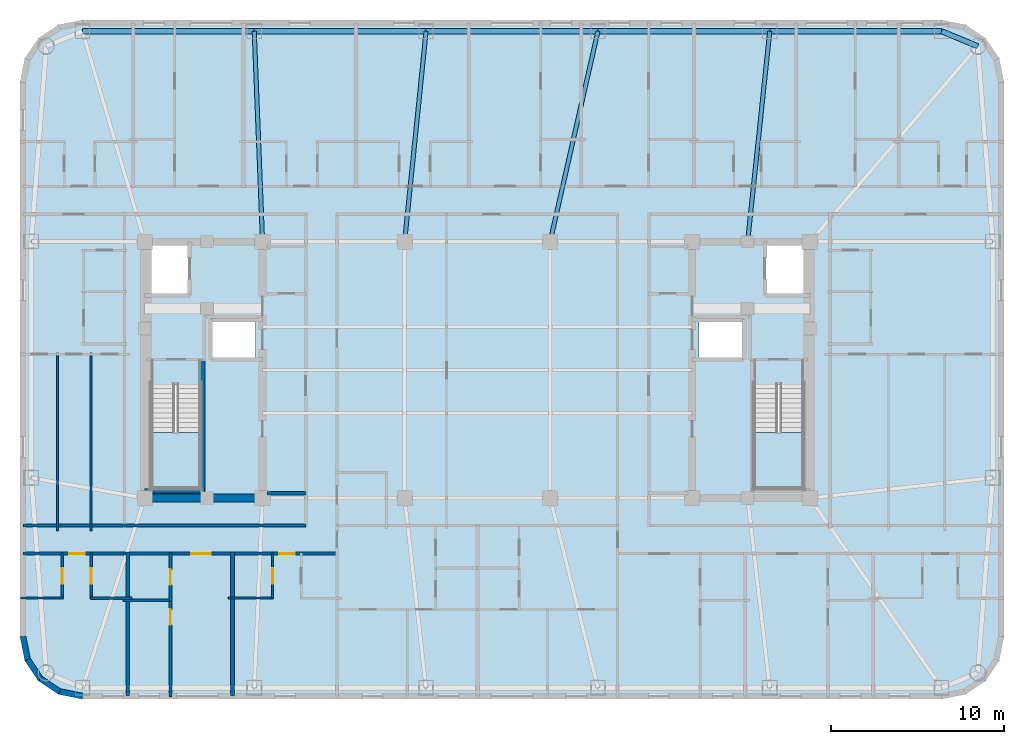
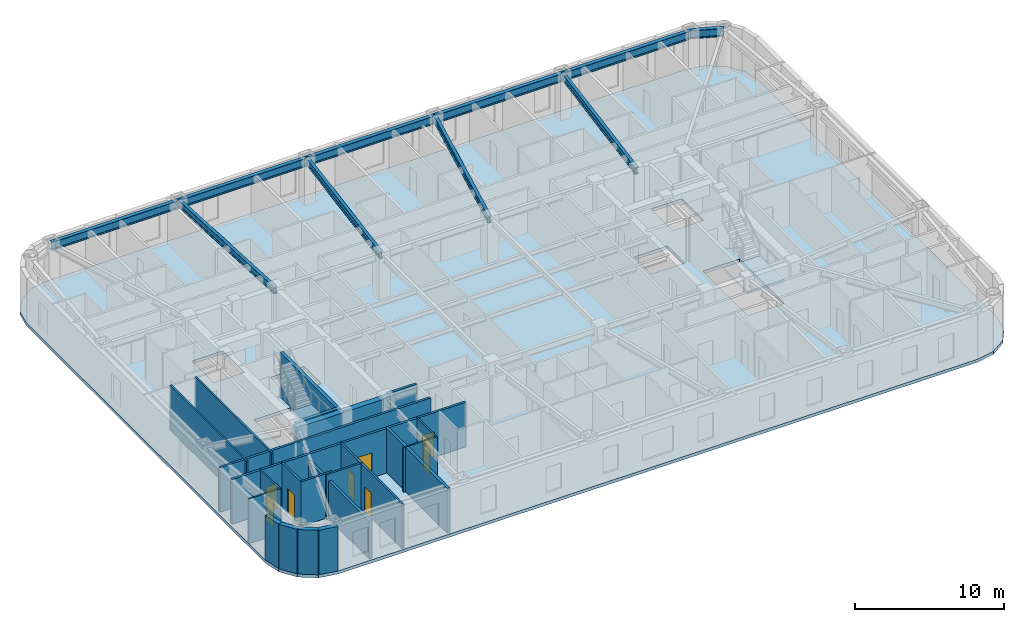
# One storey, part 2 of 11: 23 walls, 10 beams, 8 doors, 3 slabs, 8 openings, 2 elements without a shape of their own.
"""IFC4 building model written with IfcOpenShell, lengths in metres."""

from ifc_helpers import new_model, si_unit, direction, frame, frame_2d, origin, origin_2d, place, context, subcontext, project, spatial, polyline, rectangle, i_section, outline, extrude, material, layer, layer_set, material_profile, profile_set, type_object, element, fill, aggregate, save


model = new_model("IFC4")

# Units and contexts
model_context = context("Model", 3, precision=1e-05, world=origin(), true_north=direction((0.0, 1.0)))
body_context = subcontext(model_context, "Body", "Model", "MODEL_VIEW")
ifc_project = project(units=[si_unit("LENGTHUNIT", "METRE"), si_unit("AREAUNIT", "SQUARE_METRE"), si_unit("VOLUMEUNIT", "CUBIC_METRE"), si_unit("PLANEANGLEUNIT", "RADIAN"), si_unit("MASSUNIT", "GRAM", prefix="KILO")], contexts=[model_context])

# Site, building, storey
site_placement = place(None, origin())
site = spatial("IfcSite", under=ifc_project, at=site_placement, CompositionType="ELEMENT")
building_placement = place(site_placement, origin())
building = spatial("IfcBuilding", under=site, at=building_placement, Name="Voryun Gate Residences", CompositionType="ELEMENT")
storey_placement = place(building_placement, frame((0.0, 0.0, 247.0)))
storey = spatial("IfcBuildingStorey", under=building, at=storey_placement, Name="L61", CompositionType="ELEMENT", Elevation=247.0)

# Beams
ifc_material_1 = material(Name="Steel SM355", Category="steel")
ifc_material_profile_1 = material_profile(ifc_material_1, i_section(OverallWidth=0.300048828125, OverallDepth=0.679931640625, WebThickness=0.013916015625, FlangeThickness=0.02490234375, FilletRadius=0.01806640625, at=origin_2d()), Name="H-680x300x14x25")
ifc_profile_set_1 = profile_set([ifc_material_profile_1], Name="Steel SM355")
beam_type_1 = type_object("IfcBeamType", Name="BM_EXO_SPANDREL_M", PredefinedType="SPANDREL", material=ifc_profile_set_1)
beam_1_placement = place(storey_placement, frame((28.885986328125, 18.68603515625, 3.31005859375), z_axis=(-0.923881087602, 0.382679678022, 0.0), x_axis=(-0.382679678022, -0.923881087602, 0.0)))
element("IfcBeam", 1, at=beam_1_placement, inside=storey, type_object=beam_type_1, Name="BM-L61-SPAND-10", PredefinedType="SPANDREL", context=body_context, shape_type="SweptSolid", body=[
    extrude(i_section(OverallWidth=0.300048828125, OverallDepth=0.679931640625, WebThickness=0.013916015625, FlangeThickness=0.02490234375, FilletRadius=0.01806640625, at=origin_2d()), origin(), (0.0, 0.0, 1.0), 2.2578125),
])
beam_2_placement = place(storey_placement, frame((26.800048828125, 19.550048828125, 3.31005859375), z_axis=(-1.0, 0.0, 0.0), x_axis=(0.0, -1.0, 0.0)))
element("IfcBeam", 2, at=beam_2_placement, inside=storey, type_object=beam_type_1, Name="BM-L61-SPAND-11", PredefinedType="SPANDREL", context=body_context, shape_type="SweptSolid", body=[
    extrude(i_section(OverallWidth=0.300048828125, OverallDepth=0.679931640625, WebThickness=0.013916015625, FlangeThickness=0.02490234375, FilletRadius=0.01806640625, at=origin_2d()), origin(), (0.0, 0.0, 1.0), 9.920166015625),
])
for number, where, z_axis, x_axis, name in (
    (3, (16.8798828125, 19.550048828125, 3.31005859375), (-1.0, 0.0, 0.0), (0.0, -1.0, 0.0), "BM-L61-SPAND-12"),
    (4, (6.9599609375, 19.550048828125, 3.31005859375), (-1.0, 0.0, 0.0), (0.0, -1.0, 0.0), "BM-L61-SPAND-13"),
    (5, (-2.9599609375, 19.550048828125, 3.31005859375), (-1.0, 0.0, 0.0), (0.0, -1.0, 0.0), "BM-L61-SPAND-14"),
):
    element("IfcBeam", number, at=place(storey_placement, frame(where, z_axis=z_axis, x_axis=x_axis)), inside=storey, type_object=beam_type_1, Name=name, PredefinedType="SPANDREL", context=body_context, shape_type="SweptSolid", body=[
        extrude(i_section(OverallWidth=0.300048828125, OverallDepth=0.679931640625, WebThickness=0.013916015625, FlangeThickness=0.02490234375, FilletRadius=0.01806640625, at=origin_2d()), origin(), (0.0, 0.0, 1.0), 9.919921875),
    ])
beam_3_placement = place(storey_placement, frame((-12.8798828125, 19.550048828125, 3.31005859375), z_axis=(-1.0, 0.0, 0.0), x_axis=(0.0, -1.0, 0.0)))
element("IfcBeam", 6, at=beam_3_placement, inside=storey, type_object=beam_type_1, Name="BM-L61-SPAND-15", PredefinedType="SPANDREL", context=body_context, shape_type="SweptSolid", body=[
    extrude(i_section(OverallWidth=0.300048828125, OverallDepth=0.679931640625, WebThickness=0.013916015625, FlangeThickness=0.02490234375, FilletRadius=0.01806640625, at=origin_2d()), origin(), (0.0, 0.0, 1.0), 9.920166015625),
])
ifc_material_2 = material(Name="Steel SM355", Category="steel")
ifc_material_profile_2 = material_profile(ifc_material_2, i_section(OverallWidth=0.239990234375, OverallDepth=0.550048828125, WebThickness=0.011962890625, FlangeThickness=0.02001953125, FilletRadius=0.01806640625, at=origin_2d()), Name="H-550x240x12x20")
ifc_profile_set_2 = profile_set([ifc_material_profile_2], Name="Steel SM355")
beam_type_2 = type_object("IfcBeamType", Name="BM_GIRD_550", PredefinedType="USERDEFINED", material=ifc_profile_set_2)
beam_4_placement = place(storey_placement, frame((15.60009765625, 7.39990234375, 3.375), z_axis=(0.104751358085, 0.994498442925, 0.0), x_axis=(-0.994498442925, 0.104751358085, 0.0)))
element("IfcBeam", 7, at=beam_4_placement, inside=storey, type_object=beam_type_2, Name="BM-L61-RAD-N2", ObjectType="GIRDER", PredefinedType="USERDEFINED", context=body_context, shape_type="SweptSolid", body=[
    extrude(i_section(OverallWidth=0.239990234375, OverallDepth=0.550048828125, WebThickness=0.011962890625, FlangeThickness=0.02001953125, FilletRadius=0.01806640625, at=origin_2d()), origin(), (0.0, 0.0, 1.0), 12.21728515625),
])
beam_5_placement = place(storey_placement, frame((4.199951171875, 7.39990234375, 3.375), z_axis=(0.221515238368, 0.975156910026, 0.0), x_axis=(-0.975156910026, 0.221515238368, 0.0)))
element("IfcBeam", 8, at=beam_5_placement, inside=storey, type_object=beam_type_2, Name="BM-L61-RAD-N3", ObjectType="GIRDER", PredefinedType="USERDEFINED", context=body_context, shape_type="SweptSolid", body=[
    extrude(i_section(OverallWidth=0.239990234375, OverallDepth=0.550048828125, WebThickness=0.011962890625, FlangeThickness=0.02001953125, FilletRadius=0.01806640625, at=origin_2d()), origin(), (0.0, 0.0, 1.0), 12.459716796875),
])
beam_6_placement = place(storey_placement, frame((-4.199951171875, 7.39990234375, 3.375), z_axis=(0.101528223047, 0.994832659257, 0.0), x_axis=(-0.994832659257, 0.101528223047, 0.0)))
element("IfcBeam", 9, at=beam_6_placement, inside=storey, type_object=beam_type_2, Name="BM-L61-RAD-N4", ObjectType="GIRDER", PredefinedType="USERDEFINED", context=body_context, shape_type="SweptSolid", body=[
    extrude(i_section(OverallWidth=0.239990234375, OverallDepth=0.550048828125, WebThickness=0.011962890625, FlangeThickness=0.02001953125, FilletRadius=0.01806640625, at=origin_2d()), origin(), (0.0, 0.0, 1.0), 12.213134765625),
])
beam_7_placement = place(storey_placement, frame((-12.39990234375, 7.39990234375, 3.375), z_axis=(-0.039473300578, 0.999220625558, 0.0), x_axis=(-0.999220625558, -0.039473300578, 0.0)))
element("IfcBeam", 10, at=beam_7_placement, inside=storey, type_object=beam_type_2, Name="BM-L61-RAD-N5", ObjectType="GIRDER", PredefinedType="USERDEFINED", context=body_context, shape_type="SweptSolid", body=[
    extrude(i_section(OverallWidth=0.239990234375, OverallDepth=0.550048828125, WebThickness=0.011962890625, FlangeThickness=0.02001953125, FilletRadius=0.01806640625, at=origin_2d()), origin(), (0.0, 0.0, 1.0), 12.15966796875),
])

# Slab
ifc_material_3 = material(Name="Concrete C40/50", Category="concrete")
ifc_layer_1 = layer(ifc_material_3, 0.25, Name="SLB_RES_250")
ifc_layer_set_1 = layer_set([ifc_layer_1], Name="Concrete C40/50")
slab_type_1 = type_object("IfcSlabType", Name="SLB_RES_250", PredefinedType="FLOOR", material=ifc_layer_set_1)
slab_1_placement = place(storey_placement, frame((0.0, 0.0, -0.25)))
element("IfcSlab", 11, at=slab_1_placement, inside=storey, type_object=slab_type_1, Name="L61 Structural Floor Slab", PredefinedType="FLOOR", context=body_context, shape_type="SweptSolid", body=[
    extrude(outline(polyline([(-22.800048828125, -19.0), (-24.177734375, -18.72607421875), (-25.345458984375, -17.945556640625), (-26.1259765625, -16.777587890625), (-26.39990234375, -15.39990234375), (-26.39990234375, 16.60009765625), (-26.1259765625, 17.9775390625), (-25.345458984375, 19.1455078125), (-24.177734375, 19.926025390625), (-22.800048828125, 20.199951171875), (26.800048828125, 20.199951171875), (28.177734375, 19.926025390625), (29.345458984375, 19.1455078125), (30.1259765625, 17.9775390625), (30.39990234375, 16.60009765625), (30.39990234375, -15.39990234375), (30.1259765625, -16.777587890625), (29.345458984375, -17.945556640625), (28.177734375, -18.72607421875), (26.800048828125, -19.0), (-22.800048828125, -19.0)]), holes=[polyline([(-15.97509765625, -0.840087890625), (-18.824951171875, -0.840087890625), (-18.824951171875, -6.85009765625), (-15.97509765625, -6.85009765625), (-15.97509765625, -0.840087890625)]), polyline([(18.824951171875, -6.85009765625), (18.824951171875, -0.840087890625), (15.97509765625, -0.840087890625), (15.97509765625, -6.85009765625), (18.824951171875, -6.85009765625)]), polyline([(-12.800048828125, 2.89990234375), (-15.39990234375, 2.89990234375), (-15.39990234375, 0.60009765625), (-12.800048828125, 0.60009765625), (-12.800048828125, 2.89990234375)]), polyline([(12.800048828125, 2.89990234375), (12.800048828125, 0.60009765625), (15.39990234375, 0.60009765625), (15.39990234375, 2.89990234375), (12.800048828125, 2.89990234375)]), polyline([(-16.60009765625, 7.199951171875), (-19.0, 7.199951171875), (-19.0, 4.300048828125), (-16.60009765625, 4.300048828125), (-16.60009765625, 7.199951171875)]), polyline([(19.0, 7.199951171875), (16.60009765625, 7.199951171875), (16.60009765625, 4.300048828125), (19.0, 4.300048828125), (19.0, 7.199951171875)])]), origin(), (0.0, 0.0, 1.0), 0.25),
])

# Stair, slab
ifc_material_4 = material(Name="Concrete C40/50", Category="concrete")
stair_type = type_object("IfcStairType", Name="STR_CORE_DOGLEG_1350", PredefinedType="HALF_TURN_STAIR", material=ifc_material_4)
stair_1_placement = place(storey_placement, origin())
stair_1 = element("IfcStair", 12, at=stair_1_placement, inside=storey, type_object=stair_type, Name="L61 Special Escape Stair ST-W1", PredefinedType="HALF_TURN_STAIR")
ifc_material_5 = material(Name="Concrete C40/50", Category="concrete")
ifc_layer_2 = layer(ifc_material_5, 0.199951171875, Name="SLB_STAIR_LANDING_200")
ifc_layer_set_2 = layer_set([ifc_layer_2], Name="Concrete C40/50")
slab_type_2 = type_object("IfcSlabType", Name="SLB_STAIR_LANDING_200", PredefinedType="LANDING", material=ifc_layer_set_2)
slab_2_placement = place(storey_placement, frame((0.0, 0.0, 1.75)))
slab_2 = element("IfcSlab", 13, at=slab_2_placement, type_object=slab_type_2, Name="ST-W1 landing 1", PredefinedType="LANDING", context=body_context, shape_type="SweptSolid", body=[
    extrude(outline(polyline([(-18.824951171875, -3.60009765625), (-18.824951171875, -6.85009765625), (-15.97509765625, -6.85009765625), (-15.97509765625, -3.60009765625), (-18.824951171875, -3.60009765625)])), origin(), (0.0, 0.0, 1.0), 0.199951171875),
])
aggregate(stair_1, [slab_2])

stair_2_placement = place(storey_placement, origin())
stair_2 = element("IfcStair", 14, at=stair_2_placement, inside=storey, type_object=stair_type, Name="L61 Special Escape Stair ST-E1", PredefinedType="HALF_TURN_STAIR")
slab_3_placement = place(storey_placement, frame((0.0, 0.0, 1.75)))
slab_3 = element("IfcSlab", 15, at=slab_3_placement, type_object=slab_type_2, Name="ST-E1 landing 1", PredefinedType="LANDING", context=body_context, shape_type="SweptSolid", body=[
    extrude(outline(polyline([(15.97509765625, -3.60009765625), (15.97509765625, -6.85009765625), (18.824951171875, -6.85009765625), (18.824951171875, -3.60009765625), (15.97509765625, -3.60009765625)])), origin(), (0.0, 0.0, 1.0), 0.199951171875),
])
aggregate(stair_2, [slab_3])

# Walls
ifc_material_6 = material(Name="Concrete C50/60", Category="concrete")
ifc_layer_3 = layer(ifc_material_6, 0.449951171875, Name="CW_CORE_450")
ifc_layer_set_3 = layer_set([ifc_layer_3], Name="Concrete C50/60")
wall_type_1 = type_object("IfcWallType", Name="CW_CORE_450", PredefinedType="SHEAR", material=ifc_layer_set_3)
wall_1_placement = place(storey_placement, frame((-19.425048828125, -7.39990234375, 0.0), z_axis=(0.0, 0.0, 1.0), x_axis=(1.0, 0.0, 0.0)))
element("IfcWall", 16, at=wall_1_placement, inside=storey, type_object=wall_type_1, Name="L61 Core shear wall CW-L61-WS", PredefinedType="SHEAR", context=body_context, shape_type="SweptSolid", body=[
    extrude(rectangle(XDim=7.25, YDim=0.449951171875, at=frame_2d((3.625, 0.0))), origin(), (0.0, 0.0, 1.0), 3.64990234375),
])
ifc_material_7 = material(Name="Gypsum acoustic fireboard")
ifc_layer_4 = layer(ifc_material_7, 0.179931640625, Name="W_CORR_RATED_180")
ifc_layer_set_4 = layer_set([ifc_layer_4], Name="Gypsum acoustic fireboard")
wall_type_2 = type_object("IfcWallType", Name="W_CORR_RATED_180", PredefinedType="PARTITIONING", material=ifc_layer_set_4)
wall_2_placement = place(storey_placement, frame((-12.14990234375, -7.1201171875, 0.0), z_axis=(0.0, 0.0, 1.0), x_axis=(1.0, 0.0, 0.0)))
element("IfcWall", 17, at=wall_2_placement, inside=storey, type_object=wall_type_2, Name="Partition wall WP-L61-PLBS-W", PredefinedType="PARTITIONING", context=body_context, shape_type="SweptSolid", body=[
    extrude(rectangle(XDim=2.27001953125, YDim=0.179931640625, at=frame_2d((1.135009765625, 0.0))), origin(), (0.0, 0.0, 1.0), 3.64990234375),
])
wall_3_placement = place(storey_placement, frame((-26.22998046875, -8.989990234375, 0.0), z_axis=(0.0, 0.0, 1.0), x_axis=(1.0, 0.0, 0.0)))
element("IfcWall", 18, at=wall_3_placement, inside=storey, type_object=wall_type_2, Name="Partition wall WP-L61-CWING-WS", PredefinedType="PARTITIONING", context=body_context, shape_type="SweptSolid", body=[
    extrude(rectangle(XDim=16.35009765625, YDim=0.179931640625, at=frame_2d((8.175048828125, 0.0))), origin(), (0.0, 0.0, 1.0), 3.64990234375),
])

# Wall, openings, doors
wall_4_placement = place(storey_placement, frame((-26.22998046875, -10.60009765625, 0.0), z_axis=(0.0, 0.0, 1.0), x_axis=(1.0, 0.0, 0.0)))
wall_4 = element("IfcWall", 19, at=wall_4_placement, inside=storey, type_object=wall_type_2, Name="Partition wall WP-L61-SCORR-W", PredefinedType="PARTITIONING", context=body_context, shape_type="SweptSolid", body=[
    extrude(rectangle(XDim=18.14990234375, YDim=0.179931640625, at=frame_2d((9.074951171875, 0.0))), origin(), (0.0, 0.0, 1.0), 3.64990234375),
])
opening_1_placement = place(wall_4_placement, frame((2.6591796875, 0.0, 0.0)))
opening_1 = element("IfcOpeningElement", 20, at=opening_1_placement, cuts=wall_4, Name="Opening D-INT-2", PredefinedType="OPENING", context=body_context, shape_type="SweptSolid", body=[
    extrude(rectangle(XDim=0.89990234375, YDim=2.050048828125, at=frame_2d((0.449951171875, 1.02490234375))), frame((0.0, 0.099853515625, 0.0), z_axis=(0.0, -1.0, 0.0), x_axis=(1.0, 0.0, 0.0)), (0.0, 0.0, 1.0), 0.199951171875),
])
opening_2_placement = place(wall_4_placement, frame((9.703369140625, 0.0, 0.0)))
opening_2 = element("IfcOpeningElement", 21, at=opening_2_placement, cuts=wall_4, Name="Opening D-UNIT-1", PredefinedType="OPENING", context=body_context, shape_type="SweptSolid", body=[
    extrude(rectangle(XDim=1.14990234375, YDim=2.050048828125, at=frame_2d((0.574951171875, 1.02490234375))), frame((0.0, 0.099853515625, 0.0), z_axis=(0.0, -1.0, 0.0), x_axis=(1.0, 0.0, 0.0)), (0.0, 0.0, 1.0), 0.199951171875),
])
opening_3_placement = place(wall_4_placement, frame((14.79248046875, 0.0, 0.0)))
opening_3 = element("IfcOpeningElement", 22, at=opening_3_placement, cuts=wall_4, Name="Opening D-INT-2", PredefinedType="OPENING", context=body_context, shape_type="SweptSolid", body=[
    extrude(rectangle(XDim=0.89990234375, YDim=2.050048828125, at=frame_2d((0.449951171875, 1.02490234375))), frame((0.0, 0.099853515625, 0.0), z_axis=(0.0, -1.0, 0.0), x_axis=(1.0, 0.0, 0.0)), (0.0, 0.0, 1.0), 0.199951171875),
])
ifc_material_8 = material(Name="Architectural oak veneer")
door_type_1 = type_object("IfcDoorType", Name="DR_INT_BATH_900", OperationType="NOTDEFINED", PredefinedType="DOOR", material=ifc_material_8)
door_1_placement = place(opening_1_placement, origin())
door_1 = element("IfcDoor", 23, at=door_1_placement, inside=storey, type_object=door_type_1, Name="Door DR-L61-SENT-1", OperationType="SINGLE_SWING_RIGHT", OverallHeight=2.050048828125, OverallWidth=0.89990234375, PredefinedType="DOOR", context=body_context, shape_type="SweptSolid", body=[
    extrude(rectangle(XDim=0.89990234375, YDim=2.050048828125, at=frame_2d((0.449951171875, 1.02490234375))), frame((0.0, 0.02490234375, 0.0), z_axis=(0.0, -1.0, 0.0), x_axis=(1.0, 0.0, 0.0)), (0.0, 0.0, 1.0), 0.050048828125),
])
fill(opening_1, door_1)
door_2_placement = place(opening_3_placement, origin())
door_2 = element("IfcDoor", 24, at=door_2_placement, inside=storey, type_object=door_type_1, Name="Door DR-L61-SENT-3", OperationType="SINGLE_SWING_RIGHT", OverallHeight=2.050048828125, OverallWidth=0.89990234375, PredefinedType="DOOR", context=body_context, shape_type="SweptSolid", body=[
    extrude(rectangle(XDim=0.89990234375, YDim=2.050048828125, at=frame_2d((0.449951171875, 1.02490234375))), frame((0.0, 0.02490234375, 0.0), z_axis=(0.0, -1.0, 0.0), x_axis=(1.0, 0.0, 0.0)), (0.0, 0.0, 1.0), 0.050048828125),
])
fill(opening_3, door_2)
ifc_material_9 = material(Name="Armoured timber-clad fire door", Category="wood")
door_type_2 = type_object("IfcDoorType", Name="DR_UNIT_ENTRY_1150", OperationType="NOTDEFINED", PredefinedType="DOOR", material=ifc_material_9)
door_3_placement = place(opening_2_placement, origin())
door_3 = element("IfcDoor", 25, at=door_3_placement, inside=storey, type_object=door_type_2, Name="Door DR-L61-SENT-2", OperationType="SINGLE_SWING_LEFT", OverallHeight=2.050048828125, OverallWidth=1.14990234375, PredefinedType="DOOR", context=body_context, shape_type="SweptSolid", body=[
    extrude(rectangle(XDim=1.14990234375, YDim=2.050048828125, at=frame_2d((0.574951171875, 1.02490234375))), frame((0.0, 0.02490234375, 0.0), z_axis=(0.0, -1.0, 0.0), x_axis=(1.0, 0.0, 0.0)), (0.0, 0.0, 1.0), 0.050048828125),
])
fill(opening_2, door_3)

# Walls
ifc_material_10 = material(Name="Charcoal terracotta masonry", Category="masonry")
ifc_layer_5 = layer(ifc_material_10, 0.340087890625, Name="W_EXT_TERRACOTTA_340")
ifc_layer_set_5 = layer_set([ifc_layer_5], Name="Charcoal terracotta masonry")
wall_type_3 = type_object("IfcWallType", Name="W_EXT_TERRACOTTA_340", PredefinedType="ELEMENTEDWALL", material=ifc_layer_set_5)
wall_5_placement = place(storey_placement, frame((-22.783203125, -18.830078125, 0.0), z_axis=(0.0, 0.0, 1.0), x_axis=(-0.980788153188, 0.195075878998, 0.0)))
element("IfcWall", 26, at=wall_5_placement, inside=storey, type_object=wall_type_3, Name="Exterior wall WEXT-L61-02", PredefinedType="ELEMENTEDWALL", context=body_context, shape_type="SweptSolid", body=[
    extrude(rectangle(XDim=1.354248046875, YDim=0.340087890625, at=frame_2d((0.67724609375, 0.0))), origin(), (0.0, 0.0, 1.0), 3.64990234375),
])
wall_6_placement = place(storey_placement, frame((-24.111328125, -18.56591796875, 0.0), z_axis=(0.0, 0.0, 1.0), x_axis=(-0.831403586725, 0.555669034571, 0.0)))
element("IfcWall", 27, at=wall_6_placement, inside=storey, type_object=wall_type_3, Name="Exterior wall WEXT-L61-03", PredefinedType="ELEMENTEDWALL", context=body_context, shape_type="SweptSolid", body=[
    extrude(rectangle(XDim=1.3369140625, YDim=0.340087890625, at=frame_2d((0.66845703125, 0.0))), origin(), (0.0, 0.0, 1.0), 3.64990234375),
])
wall_7_placement = place(storey_placement, frame((-25.222900390625, -17.822998046875, 0.0), z_axis=(0.0, 0.0, 1.0), x_axis=(-0.555584683399, 0.831459956686, 0.0)))
element("IfcWall", 28, at=wall_7_placement, inside=storey, type_object=wall_type_3, Name="Exterior wall WEXT-L61-04", PredefinedType="ELEMENTEDWALL", context=body_context, shape_type="SweptSolid", body=[
    extrude(rectangle(XDim=1.337158203125, YDim=0.340087890625, at=frame_2d((0.66845703125, 0.0))), origin(), (0.0, 0.0, 1.0), 3.64990234375),
])
wall_8_placement = place(storey_placement, frame((-25.9658203125, -16.711181640625, 0.0), z_axis=(0.0, 0.0, 1.0), x_axis=(-0.195110379894, 0.98078129043, 0.0)))
element("IfcWall", 29, at=wall_8_placement, inside=storey, type_object=wall_type_3, Name="Exterior wall WEXT-L61-05", PredefinedType="ELEMENTEDWALL", context=body_context, shape_type="SweptSolid", body=[
    extrude(rectangle(XDim=1.35400390625, YDim=0.340087890625, at=frame_2d((0.677001953125, 0.0))), origin(), (0.0, 0.0, 1.0), 3.64990234375),
])
ifc_material_11 = material(Name="Concrete C40/50", Category="concrete")
ifc_layer_6 = layer(ifc_material_11, 0.219970703125, Name="W_PARTY_ACOUSTIC_220")
ifc_layer_set_6 = layer_set([ifc_layer_6], Name="Concrete C40/50")
wall_type_4 = type_object("IfcWallType", Name="W_PARTY_ACOUSTIC_220", PredefinedType="PARTITIONING", material=ifc_layer_set_6)
wall_9_placement = place(storey_placement, frame((-20.18505859375, -18.830078125, 0.0), z_axis=(0.0, 0.0, 1.0), x_axis=(0.0, 1.0, 0.0)))
element("IfcWall", 30, at=wall_9_placement, inside=storey, type_object=wall_type_4, Name="Partition wall WP-L61-SPTY-1", PredefinedType="PARTITIONING", context=body_context, shape_type="SweptSolid", body=[
    extrude(rectangle(XDim=8.31005859375, YDim=0.219970703125, at=frame_2d((4.155029296875, 0.0))), origin(), (0.0, 0.0, 1.0), 3.090087890625),
])
wall_10_placement = place(storey_placement, frame((-14.132080078125, -18.830078125, 0.0), z_axis=(0.0, 0.0, 1.0), x_axis=(0.0, 1.0, 0.0)))
element("IfcWall", 31, at=wall_10_placement, inside=storey, type_object=wall_type_4, Name="Partition wall WP-L61-SPTY-2", PredefinedType="PARTITIONING", context=body_context, shape_type="SweptSolid", body=[
    extrude(rectangle(XDim=8.31005859375, YDim=0.219970703125, at=frame_2d((4.155029296875, 0.0))), origin(), (0.0, 0.0, 1.0), 3.64990234375),
])
ifc_material_12 = material(Name="Concrete C50/60", Category="concrete")
ifc_layer_7 = layer(ifc_material_12, 0.25, Name="W_SHAFT_RC250")
ifc_layer_set_7 = layer_set([ifc_layer_7], Name="Concrete C50/60")
wall_type_5 = type_object("IfcWallType", Name="W_SHAFT_RC250", PredefinedType="SOLIDWALL", material=ifc_layer_set_7)
wall_11_placement = place(storey_placement, frame((-15.860107421875, -7.0849609375, 0.0), z_axis=(0.0, 0.0, 1.0), x_axis=(0.0, 1.0, 0.0)))
element("IfcWall", 32, at=wall_11_placement, inside=storey, type_object=wall_type_5, Name="L61 Stair shaft structural wall W-STR", PredefinedType="SOLIDWALL", context=body_context, shape_type="SweptSolid", body=[
    extrude(rectangle(XDim=7.68505859375, YDim=0.25, at=frame_2d((3.842529296875, 0.0))), origin(), (0.0, 0.0, 1.0), 3.64990234375),
])
wall_12_placement = place(storey_placement, frame((-19.199951171875, -6.965087890625, 0.0), z_axis=(0.0, 0.0, 1.0), x_axis=(1.0, 0.0, 0.0)))
element("IfcWall", 33, at=wall_12_placement, inside=storey, type_object=wall_type_5, Name="L61 Stair shaft structural wall W-STS", PredefinedType="SOLIDWALL", context=body_context, shape_type="SweptSolid", body=[
    extrude(rectangle(XDim=3.4599609375, YDim=0.25, at=frame_2d((1.72998046875, 0.0))), origin(), (0.0, 0.0, 1.0), 3.64990234375),
])

# Wall, opening, door
ifc_material_13 = material(Name="Gypsum acoustic partition")
ifc_layer_8 = layer(ifc_material_13, 0.125, Name="W_UNIT_PART_125")
ifc_layer_set_8 = layer_set([ifc_layer_8], Name="Gypsum acoustic partition")
wall_type_6 = type_object("IfcWallType", Name="W_UNIT_PART_125", PredefinedType="PARTITIONING", material=ifc_layer_set_8)
wall_13_placement = place(storey_placement, frame((-23.9599609375, -13.22998046875, 0.0), z_axis=(0.0, 0.0, 1.0), x_axis=(0.0, 1.0, 0.0)))
wall_13 = element("IfcWall", 34, at=wall_13_placement, inside=storey, type_object=wall_type_6, Name="Partition wall WP-L61-S1-CVK", PredefinedType="PARTITIONING", context=body_context, shape_type="SweptSolid", body=[
    extrude(rectangle(XDim=2.64990234375, YDim=0.125, at=frame_2d((1.324951171875, 0.0))), origin(), (0.0, 0.0, 1.0), 3.64990234375),
])
opening_4_placement = place(wall_13_placement, frame((0.875, 0.0, 0.0)))
opening_4 = element("IfcOpeningElement", 35, at=opening_4_placement, cuts=wall_13, Name="Opening D-INT-2", PredefinedType="OPENING", context=body_context, shape_type="SweptSolid", body=[
    extrude(rectangle(XDim=0.89990234375, YDim=2.050048828125, at=frame_2d((0.449951171875, 1.02490234375))), frame((0.0, 0.072509765625, 0.0), z_axis=(0.0, -1.0, 0.0), x_axis=(1.0, 0.0, 0.0)), (0.0, 0.0, 1.0), 0.14501953125),
])
door_4_placement = place(opening_4_placement, origin())
door_4 = element("IfcDoor", 36, at=door_4_placement, inside=storey, type_object=door_type_1, Name="Door DR-L61-S1-DK", OperationType="SINGLE_SWING_LEFT", OverallHeight=2.050048828125, OverallWidth=0.89990234375, PredefinedType="DOOR", context=body_context, shape_type="SweptSolid", body=[
    extrude(rectangle(XDim=0.89990234375, YDim=2.050048828125, at=frame_2d((0.449951171875, 1.02490234375))), frame((0.0, 0.02490234375, 0.0), z_axis=(0.0, -1.0, 0.0), x_axis=(1.0, 0.0, 0.0)), (0.0, 0.0, 1.0), 0.050048828125),
])
fill(opening_4, door_4)

# Wall
wall_14_placement = place(storey_placement, frame((-26.3798828125, -13.169921875, 0.0), z_axis=(0.0, 0.0, 1.0), x_axis=(1.0, 0.0, 0.0)))
element("IfcWall", 37, at=wall_14_placement, inside=storey, type_object=wall_type_6, Name="Partition wall WP-L61-S1-CHK", PredefinedType="PARTITIONING", context=body_context, shape_type="SweptSolid", body=[
    extrude(rectangle(XDim=2.47998046875, YDim=0.125, at=frame_2d((1.239990234375, 0.0))), origin(), (0.0, 0.0, 1.0), 3.64990234375),
])

# Wall, opening, door
wall_15_placement = place(storey_placement, frame((-11.818115234375, -13.22998046875, 0.0), z_axis=(0.0, 0.0, 1.0), x_axis=(0.0, 1.0, 0.0)))
wall_15 = element("IfcWall", 38, at=wall_15_placement, inside=storey, type_object=wall_type_6, Name="Partition wall WP-L61-S3-CVK", PredefinedType="PARTITIONING", context=body_context, shape_type="SweptSolid", body=[
    extrude(rectangle(XDim=2.64990234375, YDim=0.125, at=frame_2d((1.324951171875, 0.0))), origin(), (0.0, 0.0, 1.0), 3.64990234375),
])
opening_5_placement = place(wall_15_placement, frame((0.875, 0.0, 0.0)))
opening_5 = element("IfcOpeningElement", 39, at=opening_5_placement, cuts=wall_15, Name="Opening D-INT-2", PredefinedType="OPENING", context=body_context, shape_type="SweptSolid", body=[
    extrude(rectangle(XDim=0.89990234375, YDim=2.050048828125, at=frame_2d((0.449951171875, 1.02490234375))), frame((0.0, 0.072509765625, 0.0), z_axis=(0.0, -1.0, 0.0), x_axis=(1.0, 0.0, 0.0)), (0.0, 0.0, 1.0), 0.14501953125),
])
door_5_placement = place(opening_5_placement, origin())
door_5 = element("IfcDoor", 40, at=door_5_placement, inside=storey, type_object=door_type_1, Name="Door DR-L61-S3-DK", OperationType="SINGLE_SWING_LEFT", OverallHeight=2.050048828125, OverallWidth=0.89990234375, PredefinedType="DOOR", context=body_context, shape_type="SweptSolid", body=[
    extrude(rectangle(XDim=0.89990234375, YDim=2.050048828125, at=frame_2d((0.449951171875, 1.02490234375))), frame((0.0, 0.02490234375, 0.0), z_axis=(0.0, -1.0, 0.0), x_axis=(1.0, 0.0, 0.0)), (0.0, 0.0, 1.0), 0.050048828125),
])
fill(opening_5, door_5)

# Walls
wall_16_placement = place(storey_placement, frame((-14.39208984375, -13.169921875, 0.0), z_axis=(0.0, 0.0, 1.0), x_axis=(1.0, 0.0, 0.0)))
element("IfcWall", 41, at=wall_16_placement, inside=storey, type_object=wall_type_6, Name="Partition wall WP-L61-S3-CHK", PredefinedType="PARTITIONING", context=body_context, shape_type="SweptSolid", body=[
    extrude(rectangle(XDim=2.634033203125, YDim=0.125, at=frame_2d((1.31689453125, 0.0))), origin(), (0.0, 0.0, 1.0), 3.64990234375),
])
for number, where, z_axis, x_axis, name in (
    (42, (-22.305908203125, -9.31005859375, 0.0), (0.0, 0.0, 1.0), (0.0, 1.0, 0.0), "Partition wall WP-L61-W1-VMB2"),
    (43, (-24.241943359375, -9.31005859375, 0.0), (0.0, 0.0, 1.0), (0.0, 1.0, 0.0), "Partition wall WP-L61-W1-VMB"),
):
    element("IfcWall", number, at=place(storey_placement, frame(where, z_axis=z_axis, x_axis=x_axis)), inside=storey, type_object=wall_type_6, Name=name, PredefinedType="PARTITIONING", context=body_context, shape_type="SweptSolid", body=[
        extrude(rectangle(XDim=10.280029296875, YDim=0.125, at=frame_2d((5.14013671875, 0.0))), origin(), (0.0, 0.0, 1.0), 3.64990234375),
    ])

# Wall, opening, door
ifc_material_14 = material(Name="Gypsum moisture-resistant partition")
ifc_layer_9 = layer(ifc_material_14, 0.14990234375, Name="W_WET_PLUMB_150")
ifc_layer_set_9 = layer_set([ifc_layer_9], Name="Gypsum moisture-resistant partition")
wall_type_7 = type_object("IfcWallType", Name="W_WET_PLUMB_150", PredefinedType="PLUMBINGWALL", material=ifc_layer_set_9)
wall_17_placement = place(storey_placement, frame((-22.281982421875, -13.22998046875, 0.0), z_axis=(0.0, 0.0, 1.0), x_axis=(0.0, 1.0, 0.0)))
wall_17 = element("IfcWall", 44, at=wall_17_placement, inside=storey, type_object=wall_type_7, Name="Partition wall WP-L61-S1-CVB", PredefinedType="PLUMBINGWALL", context=body_context, shape_type="SweptSolid", body=[
    extrude(rectangle(XDim=2.64990234375, YDim=0.14990234375, at=frame_2d((1.324951171875, 0.0))), origin(), (0.0, 0.0, 1.0), 3.64990234375),
])
opening_6_placement = place(wall_17_placement, frame((0.875, 0.0, 0.0)))
opening_6 = element("IfcOpeningElement", 45, at=opening_6_placement, cuts=wall_17, Name="Opening D-INT-2", PredefinedType="OPENING", context=body_context, shape_type="SweptSolid", body=[
    extrude(rectangle(XDim=0.89990234375, YDim=2.050048828125, at=frame_2d((0.449951171875, 1.02490234375))), frame((0.0, 0.0849609375, 0.0), z_axis=(0.0, -1.0, 0.0), x_axis=(1.0, 0.0, 0.0)), (0.0, 0.0, 1.0), 0.169921875),
])
door_6_placement = place(opening_6_placement, origin())
door_6 = element("IfcDoor", 46, at=door_6_placement, inside=storey, type_object=door_type_1, Name="Door DR-L61-S1-DB", OperationType="SINGLE_SWING_RIGHT", OverallHeight=2.050048828125, OverallWidth=0.89990234375, PredefinedType="DOOR", context=body_context, shape_type="SweptSolid", body=[
    extrude(rectangle(XDim=0.89990234375, YDim=2.050048828125, at=frame_2d((0.449951171875, 1.02490234375))), frame((0.0, 0.02490234375, 0.0), z_axis=(0.0, -1.0, 0.0), x_axis=(1.0, 0.0, 0.0)), (0.0, 0.0, 1.0), 0.050048828125),
])
fill(opening_6, door_6)

# Walls
wall_18_placement = place(storey_placement, frame((-22.342041015625, -13.169921875, 0.0), z_axis=(0.0, 0.0, 1.0), x_axis=(1.0, 0.0, 0.0)))
element("IfcWall", 47, at=wall_18_placement, inside=storey, type_object=wall_type_7, Name="Partition wall WP-L61-S1-CHB", PredefinedType="PLUMBINGWALL", context=body_context, shape_type="SweptSolid", body=[
    extrude(rectangle(XDim=2.4169921875, YDim=0.14990234375, at=frame_2d((1.20849609375, 0.0))), origin(), (0.0, 0.0, 1.0), 3.64990234375),
])
wall_19_placement = place(storey_placement, frame((-20.445068359375, -13.300048828125, 0.0), z_axis=(0.0, 0.0, 1.0), x_axis=(1.0, 0.0, 0.0)))
element("IfcWall", 48, at=wall_19_placement, inside=storey, type_object=wall_type_7, Name="Partition wall WP-L61-S2-SKB", PredefinedType="PLUMBINGWALL", context=body_context, shape_type="SweptSolid", body=[
    extrude(rectangle(XDim=2.815185546875, YDim=0.14990234375, at=frame_2d((1.40771484375, 0.0))), origin(), (0.0, 0.0, 1.0), 3.64990234375),
])

# Wall, opening, door
wall_20_placement = place(storey_placement, frame((-17.7099609375, -18.876708984375, 0.0), z_axis=(0.0, 0.0, 1.0), x_axis=(0.0, 1.0, 0.0)))
wall_20 = element("IfcWall", 49, at=wall_20_placement, inside=storey, type_object=wall_type_7, Name="Partition wall WP-L61-S2-SVT1", PredefinedType="PLUMBINGWALL", context=body_context, shape_type="SweptSolid", body=[
    extrude(rectangle(XDim=5.61669921875, YDim=0.14990234375, at=frame_2d((2.808349609375, 0.0))), origin(), (0.0, 0.0, 1.0), 3.64990234375),
])
opening_7_placement = place(wall_20_placement, frame((4.15576171875, 0.0, 0.0)))
opening_7 = element("IfcOpeningElement", 50, at=opening_7_placement, cuts=wall_20, Name="Opening D-INT-2", PredefinedType="OPENING", context=body_context, shape_type="SweptSolid", body=[
    extrude(rectangle(XDim=0.89990234375, YDim=2.050048828125, at=frame_2d((0.449951171875, 1.02490234375))), frame((0.0, 0.0849609375, 0.0), z_axis=(0.0, -1.0, 0.0), x_axis=(1.0, 0.0, 0.0)), (0.0, 0.0, 1.0), 0.169921875),
])
door_7_placement = place(opening_7_placement, origin())
door_7 = element("IfcDoor", 51, at=door_7_placement, inside=storey, type_object=door_type_1, Name="Door DR-L61-S2-DK", OperationType="SINGLE_SWING_LEFT", OverallHeight=2.050048828125, OverallWidth=0.89990234375, PredefinedType="DOOR", context=body_context, shape_type="SweptSolid", body=[
    extrude(rectangle(XDim=0.89990234375, YDim=2.050048828125, at=frame_2d((0.449951171875, 1.02490234375))), frame((0.0, 0.02490234375, 0.0), z_axis=(0.0, -1.0, 0.0), x_axis=(1.0, 0.0, 0.0)), (0.0, 0.0, 1.0), 0.050048828125),
])
fill(opening_7, door_7)

wall_21_placement = place(storey_placement, frame((-17.7099609375, -13.340087890625, 0.0), z_axis=(0.0, 0.0, 1.0), x_axis=(0.0, 1.0, 0.0)))
wall_21 = element("IfcWall", 52, at=wall_21_placement, inside=storey, type_object=wall_type_7, Name="Partition wall WP-L61-S2-SVT2", PredefinedType="PLUMBINGWALL", context=body_context, shape_type="SweptSolid", body=[
    extrude(rectangle(XDim=2.760009765625, YDim=0.14990234375, at=frame_2d((1.3798828125, 0.0))), origin(), (0.0, 0.0, 1.0), 3.64990234375),
])
opening_8_placement = place(wall_21_placement, frame((0.929931640625, 0.0, 0.0)))
opening_8 = element("IfcOpeningElement", 53, at=opening_8_placement, cuts=wall_21, Name="Opening D-INT-2", PredefinedType="OPENING", context=body_context, shape_type="SweptSolid", body=[
    extrude(rectangle(XDim=0.89990234375, YDim=2.050048828125, at=frame_2d((0.449951171875, 1.02490234375))), frame((0.0, 0.0849609375, 0.0), z_axis=(0.0, -1.0, 0.0), x_axis=(1.0, 0.0, 0.0)), (0.0, 0.0, 1.0), 0.169921875),
])
door_8_placement = place(opening_8_placement, origin())
door_8 = element("IfcDoor", 54, at=door_8_placement, inside=storey, type_object=door_type_1, Name="Door DR-L61-S2-DB", OperationType="SINGLE_SWING_RIGHT", OverallHeight=2.050048828125, OverallWidth=0.89990234375, PredefinedType="DOOR", context=body_context, shape_type="SweptSolid", body=[
    extrude(rectangle(XDim=0.89990234375, YDim=2.050048828125, at=frame_2d((0.449951171875, 1.02490234375))), frame((0.0, 0.02490234375, 0.0), z_axis=(0.0, -1.0, 0.0), x_axis=(1.0, 0.0, 0.0)), (0.0, 0.0, 1.0), 0.050048828125),
])
fill(opening_8, door_8)

save(model, "model.ifc")
